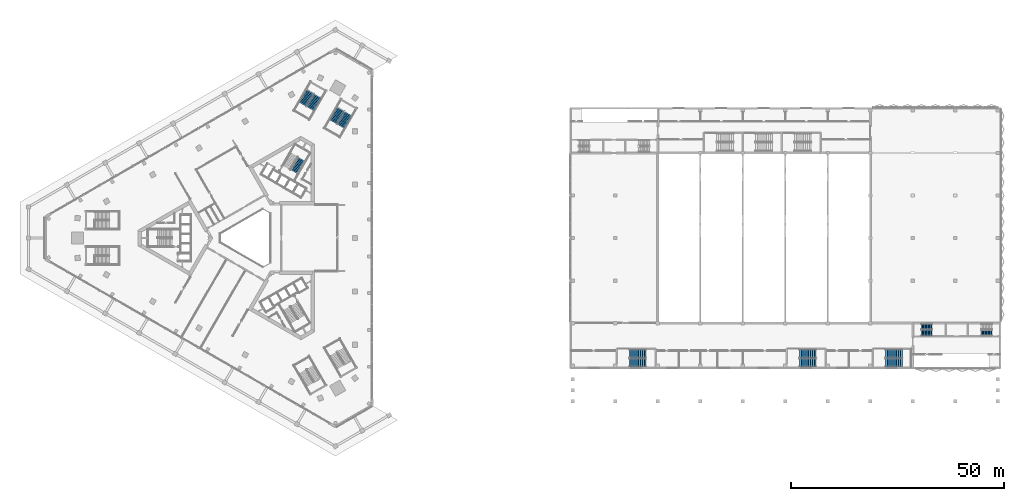
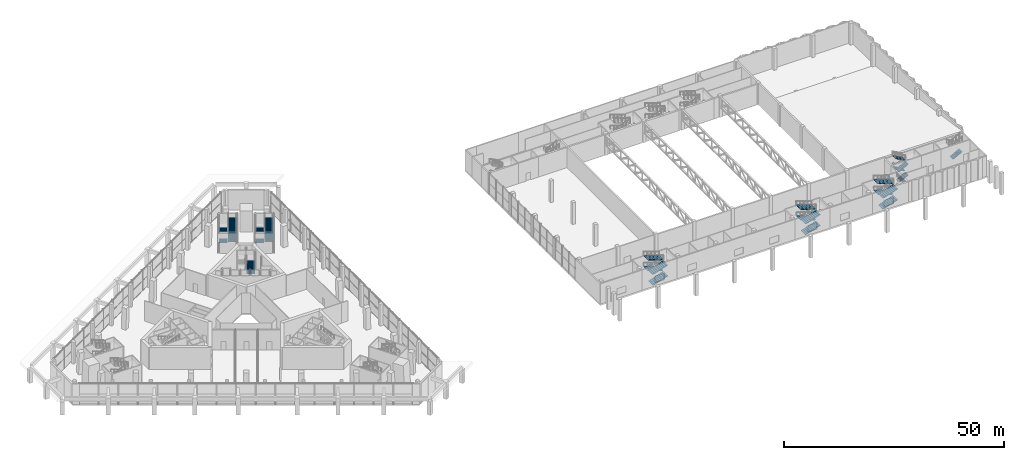
# One storey, part 37 of 51: 26 stair flights, 8 elements without a shape of their own.
"""IFC4 building model written with IfcOpenShell, lengths in metres."""

from ifc_helpers import new_model, si_unit, direction, frame, origin, place, context, subcontext, project, spatial, polyline, outline, extrude, material, type_object, element, aggregate, save


model = new_model("IFC4")

# Units and contexts
model_context = context("Model", 3, precision=1e-05, world=origin(), true_north=direction((0.0, 1.0)))
body_context = subcontext(model_context, "Body", "Model", "MODEL_VIEW")
ifc_project = project(units=[si_unit("LENGTHUNIT", "METRE"), si_unit("AREAUNIT", "SQUARE_METRE"), si_unit("VOLUMEUNIT", "CUBIC_METRE"), si_unit("PLANEANGLEUNIT", "RADIAN"), si_unit("MASSUNIT", "GRAM", prefix="KILO")], contexts=[model_context])

# Site, building, storey
site_placement = place(None, origin())
site = spatial("IfcSite", under=ifc_project, at=site_placement, CompositionType="ELEMENT")
building_placement = place(site_placement, origin())
building = spatial("IfcBuilding", under=site, at=building_placement, Name="Jabali Bay Hotel Tower and Convention Centre", CompositionType="ELEMENT")
storey_placement = place(building_placement, frame((0.0, 0.0, 9.0)))
storey = spatial("IfcBuildingStorey", under=building, at=storey_placement, Name="L01", CompositionType="ELEMENT", Elevation=9.0)

# Stair, stair flight
ifc_material = material(Name="Concrete C40", Category="concrete")
stair_type_1 = type_object("IfcStairType", Name="CC Dogleg Stair 1350", PredefinedType="HALF_TURN_STAIR", material=ifc_material)
stair_1_placement = place(storey_placement, origin())
stair_1 = element("IfcStair", 1, at=stair_1_placement, inside=storey, type_object=stair_type_1, Name="L01 East stair A", PredefinedType="HALF_TURN_STAIR")
stair_flight_type_1 = type_object("IfcStairFlightType", Name="CC Stair Flight 1350", PredefinedType="STRAIGHT", material=ifc_material)
stair_flight_1_placement = place(storey_placement, frame((246.780029296875, 57.64990234375, 1.5), z_axis=(0.0, 0.0, 1.0), x_axis=(1.0, 0.0, 0.0)))
stair_flight_1 = element("IfcStairFlight", 2, at=stair_flight_1_placement, type_object=stair_flight_type_1, Name="CC-STEA flight 2", NumberOfRisers=10, NumberOfTreads=9, PredefinedType="STRAIGHT", RiserHeight=0.15, TreadLength=0.28, context=body_context, shape_type="SweptSolid", body=[
    extrude(outline(polyline([(0.0, 0.0), (0.0, 0.14990234375), (0.280029296875, 0.14990234375), (0.280029296875, 0.300048828125), (0.56005859375, 0.300048828125), (0.56005859375, 0.449951171875), (0.840087890625, 0.449951171875), (0.840087890625, 0.60009765625), (1.1201171875, 0.60009765625), (1.1201171875, 0.75), (1.39990234375, 0.75), (1.39990234375, 0.89990234375), (1.679931640625, 0.89990234375), (1.679931640625, 1.050048828125), (1.9599609375, 1.050048828125), (1.9599609375, 1.199951171875), (2.239990234375, 1.199951171875), (2.239990234375, 1.35009765625), (2.52001953125, 1.35009765625), (2.52001953125, 1.5), (2.52001953125, 1.179931640625), (0.3173828125, 0.0), (0.0, 0.0)])), frame((0.0, 0.675048828125, 0.0), z_axis=(0.0, -1.0, 0.0), x_axis=(1.0, 0.0, 0.0)), (0.0, 0.0, 1.0), 1.35009765625),
])
aggregate(stair_1, [stair_flight_1])

# Stair, stair flights
stair_2_placement = place(storey_placement, origin())
stair_2 = element("IfcStair", 3, at=stair_2_placement, inside=storey, type_object=stair_type_1, Name="L01 East stair B", PredefinedType="HALF_TURN_STAIR")
stair_flight_2_placement = place(storey_placement, frame((232.675048828125, 57.64990234375, 0.0), z_axis=(0.0, 0.0, 1.0), x_axis=(1.0, 0.0, 0.0)))
stair_flight_2 = element("IfcStairFlight", 4, at=stair_flight_2_placement, type_object=stair_flight_type_1, Name="CC-STEB flight 1", NumberOfRisers=10, NumberOfTreads=9, PredefinedType="STRAIGHT", RiserHeight=0.15, TreadLength=0.28, context=body_context, shape_type="SweptSolid", body=[
    extrude(outline(polyline([(0.0, 0.0), (0.0, 0.14990234375), (0.280029296875, 0.14990234375), (0.280029296875, 0.300048828125), (0.56005859375, 0.300048828125), (0.56005859375, 0.449951171875), (0.840087890625, 0.449951171875), (0.840087890625, 0.60009765625), (1.1201171875, 0.60009765625), (1.1201171875, 0.75), (1.39990234375, 0.75), (1.39990234375, 0.89990234375), (1.679931640625, 0.89990234375), (1.679931640625, 1.050048828125), (1.9599609375, 1.050048828125), (1.9599609375, 1.199951171875), (2.239990234375, 1.199951171875), (2.239990234375, 1.35009765625), (2.52001953125, 1.35009765625), (2.52001953125, 1.5), (2.52001953125, 1.179931640625), (0.3173828125, 0.0), (0.0, 0.0)])), frame((0.0, 0.675048828125, 0.0), z_axis=(0.0, -1.0, 0.0), x_axis=(1.0, 0.0, 0.0)), (0.0, 0.0, 1.0), 1.35009765625),
])
stair_flight_3_placement = place(storey_placement, frame((235.195068359375, 59.14990234375, 1.5), z_axis=(0.0, 0.0, 1.0), x_axis=(-1.0, 0.0, 0.0)))
stair_flight_3 = element("IfcStairFlight", 5, at=stair_flight_3_placement, type_object=stair_flight_type_1, Name="CC-STEB flight 2", NumberOfRisers=10, NumberOfTreads=9, PredefinedType="STRAIGHT", RiserHeight=0.15, TreadLength=0.28, context=body_context, shape_type="SweptSolid", body=[
    extrude(outline(polyline([(0.0, 0.0), (0.0, 0.14990234375), (0.280029296875, 0.14990234375), (0.280029296875, 0.300048828125), (0.56005859375, 0.300048828125), (0.56005859375, 0.449951171875), (0.840087890625, 0.449951171875), (0.840087890625, 0.60009765625), (1.1201171875, 0.60009765625), (1.1201171875, 0.75), (1.39990234375, 0.75), (1.39990234375, 0.89990234375), (1.679931640625, 0.89990234375), (1.679931640625, 1.050048828125), (1.9599609375, 1.050048828125), (1.9599609375, 1.199951171875), (2.239990234375, 1.199951171875), (2.239990234375, 1.35009765625), (2.52001953125, 1.35009765625), (2.52001953125, 1.5), (2.52001953125, 1.179931640625), (0.3173828125, 0.0), (0.0, 0.0)])), frame((0.0, 0.675048828125, 0.0), z_axis=(0.0, -1.0, 0.0), x_axis=(1.0, 0.0, 0.0)), (0.0, 0.0, 1.0), 1.35009765625),
])
stair_flight_4_placement = place(storey_placement, frame((232.675048828125, 57.64990234375, 3.0), z_axis=(0.0, 0.0, 1.0), x_axis=(1.0, 0.0, 0.0)))
stair_flight_4 = element("IfcStairFlight", 6, at=stair_flight_4_placement, type_object=stair_flight_type_1, Name="CC-STEB flight 3", NumberOfRisers=10, NumberOfTreads=9, PredefinedType="STRAIGHT", RiserHeight=0.15, TreadLength=0.28, context=body_context, shape_type="SweptSolid", body=[
    extrude(outline(polyline([(0.0, 0.0), (0.0, 0.14990234375), (0.280029296875, 0.14990234375), (0.280029296875, 0.300048828125), (0.56005859375, 0.300048828125), (0.56005859375, 0.449951171875), (0.840087890625, 0.449951171875), (0.840087890625, 0.60009765625), (1.1201171875, 0.60009765625), (1.1201171875, 0.75), (1.39990234375, 0.75), (1.39990234375, 0.89990234375), (1.679931640625, 0.89990234375), (1.679931640625, 1.050048828125), (1.9599609375, 1.050048828125), (1.9599609375, 1.199951171875), (2.239990234375, 1.199951171875), (2.239990234375, 1.35009765625), (2.52001953125, 1.35009765625), (2.52001953125, 1.5), (2.52001953125, 1.179931640625), (0.3173828125, 0.0), (0.0, 0.0)])), frame((0.0, 0.675048828125, 0.0), z_axis=(0.0, -1.0, 0.0), x_axis=(1.0, 0.0, 0.0)), (0.0, 0.0, 1.0), 1.35009765625),
])
stair_flight_5_placement = place(storey_placement, frame((235.195068359375, 59.14990234375, 4.5), z_axis=(0.0, 0.0, 1.0), x_axis=(-1.0, 0.0, 0.0)))
stair_flight_5 = element("IfcStairFlight", 7, at=stair_flight_5_placement, type_object=stair_flight_type_1, Name="CC-STEB flight 4", NumberOfRisers=10, NumberOfTreads=9, PredefinedType="STRAIGHT", RiserHeight=0.15, TreadLength=0.28, context=body_context, shape_type="SweptSolid", body=[
    extrude(outline(polyline([(0.0, 0.0), (0.0, 0.14990234375), (0.280029296875, 0.14990234375), (0.280029296875, 0.300048828125), (0.56005859375, 0.300048828125), (0.56005859375, 0.449951171875), (0.840087890625, 0.449951171875), (0.840087890625, 0.60009765625), (1.1201171875, 0.60009765625), (1.1201171875, 0.75), (1.39990234375, 0.75), (1.39990234375, 0.89990234375), (1.679931640625, 0.89990234375), (1.679931640625, 1.050048828125), (1.9599609375, 1.050048828125), (1.9599609375, 1.199951171875), (2.239990234375, 1.199951171875), (2.239990234375, 1.35009765625), (2.52001953125, 1.35009765625), (2.52001953125, 1.5), (2.52001953125, 1.179931640625), (0.3173828125, 0.0), (0.0, 0.0)])), frame((0.0, 0.675048828125, 0.0), z_axis=(0.0, -1.0, 0.0), x_axis=(1.0, 0.0, 0.0)), (0.0, 0.0, 1.0), 1.35009765625),
])
aggregate(stair_2, [stair_flight_2, stair_flight_3, stair_flight_4, stair_flight_5])

stair_3_placement = place(storey_placement, origin())
stair_3 = element("IfcStair", 8, at=stair_3_placement, inside=storey, type_object=stair_type_1, Name="L01 South Exit Stair 1", PredefinedType="HALF_TURN_STAIR")
stair_flight_6_placement = place(storey_placement, frame((164.0, 50.699951171875, 0.0), z_axis=(0.0, 0.0, 1.0), x_axis=(1.0, 0.0, 0.0)))
stair_flight_6 = element("IfcStairFlight", 9, at=stair_flight_6_placement, type_object=stair_flight_type_1, Name="CC-STS1 flight 1", NumberOfRisers=10, NumberOfTreads=9, PredefinedType="STRAIGHT", RiserHeight=0.15, TreadLength=0.44, context=body_context, shape_type="SweptSolid", body=[
    extrude(outline(polyline([(0.0, 0.0), (0.0, 0.14990234375), (0.43994140625, 0.14990234375), (0.43994140625, 0.300048828125), (0.8798828125, 0.300048828125), (0.8798828125, 0.449951171875), (1.320068359375, 0.449951171875), (1.320068359375, 0.60009765625), (1.760009765625, 0.60009765625), (1.760009765625, 0.75), (2.199951171875, 0.75), (2.199951171875, 0.89990234375), (2.639892578125, 0.89990234375), (2.639892578125, 1.050048828125), (3.080078125, 1.050048828125), (3.080078125, 1.199951171875), (3.52001953125, 1.199951171875), (3.52001953125, 1.35009765625), (3.9599609375, 1.35009765625), (3.9599609375, 1.5), (3.9599609375, 1.191650390625), (0.464599609375, 0.0), (0.0, 0.0)])), frame((0.0, 1.0, 0.0), z_axis=(0.0, -1.0, 0.0), x_axis=(1.0, 0.0, 0.0)), (0.0, 0.0, 1.0), 2.0),
])
stair_flight_7_placement = place(storey_placement, frame((167.9599609375, 52.800048828125, 1.5), z_axis=(0.0, 0.0, 1.0), x_axis=(-1.0, 0.0, 0.0)))
stair_flight_7 = element("IfcStairFlight", 10, at=stair_flight_7_placement, type_object=stair_flight_type_1, Name="CC-STS1 flight 2", NumberOfRisers=10, NumberOfTreads=9, PredefinedType="STRAIGHT", RiserHeight=0.15, TreadLength=0.44, context=body_context, shape_type="SweptSolid", body=[
    extrude(outline(polyline([(0.0, 0.0), (0.0, 0.14990234375), (0.43994140625, 0.14990234375), (0.43994140625, 0.300048828125), (0.8798828125, 0.300048828125), (0.8798828125, 0.449951171875), (1.320068359375, 0.449951171875), (1.320068359375, 0.60009765625), (1.760009765625, 0.60009765625), (1.760009765625, 0.75), (2.199951171875, 0.75), (2.199951171875, 0.89990234375), (2.639892578125, 0.89990234375), (2.639892578125, 1.050048828125), (3.080078125, 1.050048828125), (3.080078125, 1.199951171875), (3.52001953125, 1.199951171875), (3.52001953125, 1.35009765625), (3.9599609375, 1.35009765625), (3.9599609375, 1.5), (3.9599609375, 1.191650390625), (0.464599609375, 0.0), (0.0, 0.0)])), frame((0.0, 1.0, 0.0), z_axis=(0.0, -1.0, 0.0), x_axis=(1.0, 0.0, 0.0)), (0.0, 0.0, 1.0), 2.0),
])
stair_flight_8_placement = place(storey_placement, frame((164.0, 50.699951171875, 3.0), z_axis=(0.0, 0.0, 1.0), x_axis=(1.0, 0.0, 0.0)))
stair_flight_8 = element("IfcStairFlight", 11, at=stair_flight_8_placement, type_object=stair_flight_type_1, Name="CC-STS1 flight 3", NumberOfRisers=10, NumberOfTreads=9, PredefinedType="STRAIGHT", RiserHeight=0.15, TreadLength=0.44, context=body_context, shape_type="SweptSolid", body=[
    extrude(outline(polyline([(0.0, 0.0), (0.0, 0.14990234375), (0.43994140625, 0.14990234375), (0.43994140625, 0.300048828125), (0.8798828125, 0.300048828125), (0.8798828125, 0.449951171875), (1.320068359375, 0.449951171875), (1.320068359375, 0.60009765625), (1.760009765625, 0.60009765625), (1.760009765625, 0.75), (2.199951171875, 0.75), (2.199951171875, 0.89990234375), (2.639892578125, 0.89990234375), (2.639892578125, 1.050048828125), (3.080078125, 1.050048828125), (3.080078125, 1.199951171875), (3.52001953125, 1.199951171875), (3.52001953125, 1.35009765625), (3.9599609375, 1.35009765625), (3.9599609375, 1.5), (3.9599609375, 1.191650390625), (0.464599609375, 0.0), (0.0, 0.0)])), frame((0.0, 1.0, 0.0), z_axis=(0.0, -1.0, 0.0), x_axis=(1.0, 0.0, 0.0)), (0.0, 0.0, 1.0), 2.0),
])
stair_flight_9_placement = place(storey_placement, frame((167.9599609375, 52.800048828125, 4.5), z_axis=(0.0, 0.0, 1.0), x_axis=(-1.0, 0.0, 0.0)))
stair_flight_9 = element("IfcStairFlight", 12, at=stair_flight_9_placement, type_object=stair_flight_type_1, Name="CC-STS1 flight 4", NumberOfRisers=10, NumberOfTreads=9, PredefinedType="STRAIGHT", RiserHeight=0.15, TreadLength=0.44, context=body_context, shape_type="SweptSolid", body=[
    extrude(outline(polyline([(0.0, 0.0), (0.0, 0.14990234375), (0.43994140625, 0.14990234375), (0.43994140625, 0.300048828125), (0.8798828125, 0.300048828125), (0.8798828125, 0.449951171875), (1.320068359375, 0.449951171875), (1.320068359375, 0.60009765625), (1.760009765625, 0.60009765625), (1.760009765625, 0.75), (2.199951171875, 0.75), (2.199951171875, 0.89990234375), (2.639892578125, 0.89990234375), (2.639892578125, 1.050048828125), (3.080078125, 1.050048828125), (3.080078125, 1.199951171875), (3.52001953125, 1.199951171875), (3.52001953125, 1.35009765625), (3.9599609375, 1.35009765625), (3.9599609375, 1.5), (3.9599609375, 1.191650390625), (0.464599609375, 0.0), (0.0, 0.0)])), frame((0.0, 1.0, 0.0), z_axis=(0.0, -1.0, 0.0), x_axis=(1.0, 0.0, 0.0)), (0.0, 0.0, 1.0), 2.0),
])
aggregate(stair_3, [stair_flight_6, stair_flight_7, stair_flight_8, stair_flight_9])

stair_4_placement = place(storey_placement, origin())
stair_4 = element("IfcStair", 13, at=stair_4_placement, inside=storey, type_object=stair_type_1, Name="L01 South Exit Stair 2", PredefinedType="HALF_TURN_STAIR")
stair_flight_10_placement = place(storey_placement, frame((204.0, 50.699951171875, 0.0), z_axis=(0.0, 0.0, 1.0), x_axis=(1.0, 0.0, 0.0)))
stair_flight_10 = element("IfcStairFlight", 14, at=stair_flight_10_placement, type_object=stair_flight_type_1, Name="CC-STS2 flight 1", NumberOfRisers=10, NumberOfTreads=9, PredefinedType="STRAIGHT", RiserHeight=0.15, TreadLength=0.44, context=body_context, shape_type="SweptSolid", body=[
    extrude(outline(polyline([(0.0, 0.0), (0.0, 0.14990234375), (0.43994140625, 0.14990234375), (0.43994140625, 0.300048828125), (0.8798828125, 0.300048828125), (0.8798828125, 0.449951171875), (1.320068359375, 0.449951171875), (1.320068359375, 0.60009765625), (1.760009765625, 0.60009765625), (1.760009765625, 0.75), (2.199951171875, 0.75), (2.199951171875, 0.89990234375), (2.639892578125, 0.89990234375), (2.639892578125, 1.050048828125), (3.080078125, 1.050048828125), (3.080078125, 1.199951171875), (3.52001953125, 1.199951171875), (3.52001953125, 1.35009765625), (3.9599609375, 1.35009765625), (3.9599609375, 1.5), (3.9599609375, 1.191650390625), (0.464599609375, 0.0), (0.0, 0.0)])), frame((0.0, 1.0, 0.0), z_axis=(0.0, -1.0, 0.0), x_axis=(1.0, 0.0, 0.0)), (0.0, 0.0, 1.0), 2.0),
])
stair_flight_11_placement = place(storey_placement, frame((207.9599609375, 52.800048828125, 1.5), z_axis=(0.0, 0.0, 1.0), x_axis=(-1.0, 0.0, 0.0)))
stair_flight_11 = element("IfcStairFlight", 15, at=stair_flight_11_placement, type_object=stair_flight_type_1, Name="CC-STS2 flight 2", NumberOfRisers=10, NumberOfTreads=9, PredefinedType="STRAIGHT", RiserHeight=0.15, TreadLength=0.44, context=body_context, shape_type="SweptSolid", body=[
    extrude(outline(polyline([(0.0, 0.0), (0.0, 0.14990234375), (0.43994140625, 0.14990234375), (0.43994140625, 0.300048828125), (0.8798828125, 0.300048828125), (0.8798828125, 0.449951171875), (1.320068359375, 0.449951171875), (1.320068359375, 0.60009765625), (1.760009765625, 0.60009765625), (1.760009765625, 0.75), (2.199951171875, 0.75), (2.199951171875, 0.89990234375), (2.639892578125, 0.89990234375), (2.639892578125, 1.050048828125), (3.080078125, 1.050048828125), (3.080078125, 1.199951171875), (3.52001953125, 1.199951171875), (3.52001953125, 1.35009765625), (3.9599609375, 1.35009765625), (3.9599609375, 1.5), (3.9599609375, 1.191650390625), (0.464599609375, 0.0), (0.0, 0.0)])), frame((0.0, 1.0, 0.0), z_axis=(0.0, -1.0, 0.0), x_axis=(1.0, 0.0, 0.0)), (0.0, 0.0, 1.0), 2.0),
])
stair_flight_12_placement = place(storey_placement, frame((204.0, 50.699951171875, 3.0), z_axis=(0.0, 0.0, 1.0), x_axis=(1.0, 0.0, 0.0)))
stair_flight_12 = element("IfcStairFlight", 16, at=stair_flight_12_placement, type_object=stair_flight_type_1, Name="CC-STS2 flight 3", NumberOfRisers=10, NumberOfTreads=9, PredefinedType="STRAIGHT", RiserHeight=0.15, TreadLength=0.44, context=body_context, shape_type="SweptSolid", body=[
    extrude(outline(polyline([(0.0, 0.0), (0.0, 0.14990234375), (0.43994140625, 0.14990234375), (0.43994140625, 0.300048828125), (0.8798828125, 0.300048828125), (0.8798828125, 0.449951171875), (1.320068359375, 0.449951171875), (1.320068359375, 0.60009765625), (1.760009765625, 0.60009765625), (1.760009765625, 0.75), (2.199951171875, 0.75), (2.199951171875, 0.89990234375), (2.639892578125, 0.89990234375), (2.639892578125, 1.050048828125), (3.080078125, 1.050048828125), (3.080078125, 1.199951171875), (3.52001953125, 1.199951171875), (3.52001953125, 1.35009765625), (3.9599609375, 1.35009765625), (3.9599609375, 1.5), (3.9599609375, 1.191650390625), (0.464599609375, 0.0), (0.0, 0.0)])), frame((0.0, 1.0, 0.0), z_axis=(0.0, -1.0, 0.0), x_axis=(1.0, 0.0, 0.0)), (0.0, 0.0, 1.0), 2.0),
])
stair_flight_13_placement = place(storey_placement, frame((207.9599609375, 52.800048828125, 4.5), z_axis=(0.0, 0.0, 1.0), x_axis=(-1.0, 0.0, 0.0)))
stair_flight_13 = element("IfcStairFlight", 17, at=stair_flight_13_placement, type_object=stair_flight_type_1, Name="CC-STS2 flight 4", NumberOfRisers=10, NumberOfTreads=9, PredefinedType="STRAIGHT", RiserHeight=0.15, TreadLength=0.44, context=body_context, shape_type="SweptSolid", body=[
    extrude(outline(polyline([(0.0, 0.0), (0.0, 0.14990234375), (0.43994140625, 0.14990234375), (0.43994140625, 0.300048828125), (0.8798828125, 0.300048828125), (0.8798828125, 0.449951171875), (1.320068359375, 0.449951171875), (1.320068359375, 0.60009765625), (1.760009765625, 0.60009765625), (1.760009765625, 0.75), (2.199951171875, 0.75), (2.199951171875, 0.89990234375), (2.639892578125, 0.89990234375), (2.639892578125, 1.050048828125), (3.080078125, 1.050048828125), (3.080078125, 1.199951171875), (3.52001953125, 1.199951171875), (3.52001953125, 1.35009765625), (3.9599609375, 1.35009765625), (3.9599609375, 1.5), (3.9599609375, 1.191650390625), (0.464599609375, 0.0), (0.0, 0.0)])), frame((0.0, 1.0, 0.0), z_axis=(0.0, -1.0, 0.0), x_axis=(1.0, 0.0, 0.0)), (0.0, 0.0, 1.0), 2.0),
])
aggregate(stair_4, [stair_flight_10, stair_flight_11, stair_flight_12, stair_flight_13])

stair_5_placement = place(storey_placement, origin())
stair_5 = element("IfcStair", 18, at=stair_5_placement, inside=storey, type_object=stair_type_1, Name="L01 South Exit Stair 3", PredefinedType="HALF_TURN_STAIR")
stair_flight_14_placement = place(storey_placement, frame((224.25, 50.699951171875, 0.0), z_axis=(0.0, 0.0, 1.0), x_axis=(1.0, 0.0, 0.0)))
stair_flight_14 = element("IfcStairFlight", 19, at=stair_flight_14_placement, type_object=stair_flight_type_1, Name="CC-STS3 flight 1", NumberOfRisers=10, NumberOfTreads=9, PredefinedType="STRAIGHT", RiserHeight=0.15, TreadLength=0.44, context=body_context, shape_type="SweptSolid", body=[
    extrude(outline(polyline([(0.0, 0.0), (0.0, 0.14990234375), (0.43994140625, 0.14990234375), (0.43994140625, 0.300048828125), (0.8798828125, 0.300048828125), (0.8798828125, 0.449951171875), (1.320068359375, 0.449951171875), (1.320068359375, 0.60009765625), (1.760009765625, 0.60009765625), (1.760009765625, 0.75), (2.199951171875, 0.75), (2.199951171875, 0.89990234375), (2.639892578125, 0.89990234375), (2.639892578125, 1.050048828125), (3.080078125, 1.050048828125), (3.080078125, 1.199951171875), (3.52001953125, 1.199951171875), (3.52001953125, 1.35009765625), (3.9599609375, 1.35009765625), (3.9599609375, 1.5), (3.9599609375, 1.191650390625), (0.464599609375, 0.0), (0.0, 0.0)])), frame((0.0, 1.0, 0.0), z_axis=(0.0, -1.0, 0.0), x_axis=(1.0, 0.0, 0.0)), (0.0, 0.0, 1.0), 2.0),
])
stair_flight_15_placement = place(storey_placement, frame((228.2099609375, 52.800048828125, 1.5), z_axis=(0.0, 0.0, 1.0), x_axis=(-1.0, 0.0, 0.0)))
stair_flight_15 = element("IfcStairFlight", 20, at=stair_flight_15_placement, type_object=stair_flight_type_1, Name="CC-STS3 flight 2", NumberOfRisers=10, NumberOfTreads=9, PredefinedType="STRAIGHT", RiserHeight=0.15, TreadLength=0.44, context=body_context, shape_type="SweptSolid", body=[
    extrude(outline(polyline([(0.0, 0.0), (0.0, 0.14990234375), (0.43994140625, 0.14990234375), (0.43994140625, 0.300048828125), (0.8798828125, 0.300048828125), (0.8798828125, 0.449951171875), (1.320068359375, 0.449951171875), (1.320068359375, 0.60009765625), (1.760009765625, 0.60009765625), (1.760009765625, 0.75), (2.199951171875, 0.75), (2.199951171875, 0.89990234375), (2.639892578125, 0.89990234375), (2.639892578125, 1.050048828125), (3.080078125, 1.050048828125), (3.080078125, 1.199951171875), (3.52001953125, 1.199951171875), (3.52001953125, 1.35009765625), (3.9599609375, 1.35009765625), (3.9599609375, 1.5), (3.9599609375, 1.191650390625), (0.464599609375, 0.0), (0.0, 0.0)])), frame((0.0, 1.0, 0.0), z_axis=(0.0, -1.0, 0.0), x_axis=(1.0, 0.0, 0.0)), (0.0, 0.0, 1.0), 2.0),
])
stair_flight_16_placement = place(storey_placement, frame((224.25, 50.699951171875, 3.0), z_axis=(0.0, 0.0, 1.0), x_axis=(1.0, 0.0, 0.0)))
stair_flight_16 = element("IfcStairFlight", 21, at=stair_flight_16_placement, type_object=stair_flight_type_1, Name="CC-STS3 flight 3", NumberOfRisers=10, NumberOfTreads=9, PredefinedType="STRAIGHT", RiserHeight=0.15, TreadLength=0.44, context=body_context, shape_type="SweptSolid", body=[
    extrude(outline(polyline([(0.0, 0.0), (0.0, 0.14990234375), (0.43994140625, 0.14990234375), (0.43994140625, 0.300048828125), (0.8798828125, 0.300048828125), (0.8798828125, 0.449951171875), (1.320068359375, 0.449951171875), (1.320068359375, 0.60009765625), (1.760009765625, 0.60009765625), (1.760009765625, 0.75), (2.199951171875, 0.75), (2.199951171875, 0.89990234375), (2.639892578125, 0.89990234375), (2.639892578125, 1.050048828125), (3.080078125, 1.050048828125), (3.080078125, 1.199951171875), (3.52001953125, 1.199951171875), (3.52001953125, 1.35009765625), (3.9599609375, 1.35009765625), (3.9599609375, 1.5), (3.9599609375, 1.191650390625), (0.464599609375, 0.0), (0.0, 0.0)])), frame((0.0, 1.0, 0.0), z_axis=(0.0, -1.0, 0.0), x_axis=(1.0, 0.0, 0.0)), (0.0, 0.0, 1.0), 2.0),
])
stair_flight_17_placement = place(storey_placement, frame((228.2099609375, 52.800048828125, 4.5), z_axis=(0.0, 0.0, 1.0), x_axis=(-1.0, 0.0, 0.0)))
stair_flight_17 = element("IfcStairFlight", 22, at=stair_flight_17_placement, type_object=stair_flight_type_1, Name="CC-STS3 flight 4", NumberOfRisers=10, NumberOfTreads=9, PredefinedType="STRAIGHT", RiserHeight=0.15, TreadLength=0.44, context=body_context, shape_type="SweptSolid", body=[
    extrude(outline(polyline([(0.0, 0.0), (0.0, 0.14990234375), (0.43994140625, 0.14990234375), (0.43994140625, 0.300048828125), (0.8798828125, 0.300048828125), (0.8798828125, 0.449951171875), (1.320068359375, 0.449951171875), (1.320068359375, 0.60009765625), (1.760009765625, 0.60009765625), (1.760009765625, 0.75), (2.199951171875, 0.75), (2.199951171875, 0.89990234375), (2.639892578125, 0.89990234375), (2.639892578125, 1.050048828125), (3.080078125, 1.050048828125), (3.080078125, 1.199951171875), (3.52001953125, 1.199951171875), (3.52001953125, 1.35009765625), (3.9599609375, 1.35009765625), (3.9599609375, 1.5), (3.9599609375, 1.191650390625), (0.464599609375, 0.0), (0.0, 0.0)])), frame((0.0, 1.0, 0.0), z_axis=(0.0, -1.0, 0.0), x_axis=(1.0, 0.0, 0.0)), (0.0, 0.0, 1.0), 2.0),
])
aggregate(stair_5, [stair_flight_14, stair_flight_15, stair_flight_16, stair_flight_17])

# Stair, stair flight
stair_type_2 = type_object("IfcStairType", Name="Exit stair 1900", PredefinedType="HALF_TURN_STAIR", material=ifc_material)
stair_6_placement = place(storey_placement, origin())
stair_6 = element("IfcStair", 23, at=stair_6_placement, inside=storey, type_object=stair_type_2, Name="L01 Exit Stair 2", PredefinedType="HALF_TURN_STAIR")
stair_flight_type_2 = type_object("IfcStairFlightType", Name="Stair flight concrete 150", PredefinedType="STRAIGHT", material=ifc_material)
stair_flight_18_placement = place(storey_placement, frame((85.177734375, 95.578369140625, 3.0), z_axis=(0.0, 0.0, 1.0), x_axis=(0.5, 0.866025403784, 0.0)))
stair_flight_18 = element("IfcStairFlight", 24, at=stair_flight_18_placement, type_object=stair_flight_type_2, Name="ST2 flight 3", NumberOfRisers=12, NumberOfTreads=11, PredefinedType="STRAIGHT", RiserHeight=0.125, TreadLength=0.31, context=body_context, shape_type="SweptSolid", body=[
    extrude(outline(polyline([(0.0, 0.0), (0.0, 0.125), (0.31005859375, 0.125), (0.31005859375, 0.25), (0.6201171875, 0.25), (0.6201171875, 0.375), (0.929931640625, 0.375), (0.929931640625, 0.5), (1.239990234375, 0.5), (1.239990234375, 0.625), (1.550048828125, 0.625), (1.550048828125, 0.75), (1.860107421875, 0.75), (1.860107421875, 0.875), (2.169921875, 0.875), (2.169921875, 1.0), (2.47998046875, 1.0), (2.47998046875, 1.125), (2.7900390625, 1.125), (2.7900390625, 1.25), (3.10009765625, 1.25), (3.10009765625, 1.375), (3.409912109375, 1.375), (3.409912109375, 1.5), (3.409912109375, 1.21337890625), (0.40087890625, 0.0), (0.0, 0.0)])), frame((0.0, 0.949951171875, 0.0), z_axis=(0.0, -1.0, 0.0), x_axis=(1.0, 0.0, 0.0)), (0.0, 0.0, 1.0), 1.89990234375),
])
aggregate(stair_6, [stair_flight_18])

# Stair, stair flights
stair_type_3 = type_object("IfcStairType", Name="Podium stair 1950", PredefinedType="HALF_TURN_STAIR", material=ifc_material)
stair_7_placement = place(storey_placement, origin())
stair_7 = element("IfcStair", 25, at=stair_7_placement, inside=storey, type_object=stair_type_3, Name="L01 Podium Exit Stair 3", PredefinedType="HALF_TURN_STAIR")
stair_flight_19_placement = place(storey_placement, frame((88.893310546875, 114.413818359375, 0.0), z_axis=(0.0, 0.0, 1.0), x_axis=(-0.5, -0.866025403784, 0.0)))
stair_flight_19 = element("IfcStairFlight", 26, at=stair_flight_19_placement, type_object=stair_flight_type_2, Name="PS3 flight 1", NumberOfRisers=12, NumberOfTreads=11, PredefinedType="STRAIGHT", RiserHeight=0.125, TreadLength=0.31, context=body_context, shape_type="SweptSolid", body=[
    extrude(outline(polyline([(0.0, 0.0), (0.0, 0.125), (0.31005859375, 0.125), (0.31005859375, 0.25), (0.6201171875, 0.25), (0.6201171875, 0.375), (0.929931640625, 0.375), (0.929931640625, 0.5), (1.239990234375, 0.5), (1.239990234375, 0.625), (1.550048828125, 0.625), (1.550048828125, 0.75), (1.860107421875, 0.75), (1.860107421875, 0.875), (2.169921875, 0.875), (2.169921875, 1.0), (2.47998046875, 1.0), (2.47998046875, 1.125), (2.7900390625, 1.125), (2.7900390625, 1.25), (3.10009765625, 1.25), (3.10009765625, 1.375), (3.409912109375, 1.375), (3.409912109375, 1.5), (3.409912109375, 1.21337890625), (0.40087890625, 0.0), (0.0, 0.0)])), frame((0.0, 0.97509765625, 0.0), z_axis=(0.0, -1.0, 0.0), x_axis=(1.0, 0.0, 0.0)), (0.0, 0.0, 1.0), 1.949951171875),
])
stair_flight_20_placement = place(storey_placement, frame((88.963623046875, 110.435791015625, 1.5), z_axis=(0.0, 0.0, 1.0), x_axis=(0.5, 0.866025403784, 0.0)))
stair_flight_20 = element("IfcStairFlight", 27, at=stair_flight_20_placement, type_object=stair_flight_type_2, Name="PS3 flight 2", NumberOfRisers=12, NumberOfTreads=11, PredefinedType="STRAIGHT", RiserHeight=0.125, TreadLength=0.31, context=body_context, shape_type="SweptSolid", body=[
    extrude(outline(polyline([(0.0, 0.0), (0.0, 0.125), (0.31005859375, 0.125), (0.31005859375, 0.25), (0.6201171875, 0.25), (0.6201171875, 0.375), (0.929931640625, 0.375), (0.929931640625, 0.5), (1.239990234375, 0.5), (1.239990234375, 0.625), (1.550048828125, 0.625), (1.550048828125, 0.75), (1.860107421875, 0.75), (1.860107421875, 0.875), (2.169921875, 0.875), (2.169921875, 1.0), (2.47998046875, 1.0), (2.47998046875, 1.125), (2.7900390625, 1.125), (2.7900390625, 1.25), (3.10009765625, 1.25), (3.10009765625, 1.375), (3.409912109375, 1.375), (3.409912109375, 1.5), (3.409912109375, 1.21337890625), (0.40087890625, 0.0), (0.0, 0.0)])), frame((0.0, 0.97509765625, 0.0), z_axis=(0.0, -1.0, 0.0), x_axis=(1.0, 0.0, 0.0)), (0.0, 0.0, 1.0), 1.949951171875),
])
stair_flight_21_placement = place(storey_placement, frame((88.893310546875, 114.413818359375, 3.0), z_axis=(0.0, 0.0, 1.0), x_axis=(-0.5, -0.866025403784, 0.0)))
stair_flight_21 = element("IfcStairFlight", 28, at=stair_flight_21_placement, type_object=stair_flight_type_2, Name="PS3 flight 3", NumberOfRisers=12, NumberOfTreads=11, PredefinedType="STRAIGHT", RiserHeight=0.125, TreadLength=0.31, context=body_context, shape_type="SweptSolid", body=[
    extrude(outline(polyline([(0.0, 0.0), (0.0, 0.125), (0.31005859375, 0.125), (0.31005859375, 0.25), (0.6201171875, 0.25), (0.6201171875, 0.375), (0.929931640625, 0.375), (0.929931640625, 0.5), (1.239990234375, 0.5), (1.239990234375, 0.625), (1.550048828125, 0.625), (1.550048828125, 0.75), (1.860107421875, 0.75), (1.860107421875, 0.875), (2.169921875, 0.875), (2.169921875, 1.0), (2.47998046875, 1.0), (2.47998046875, 1.125), (2.7900390625, 1.125), (2.7900390625, 1.25), (3.10009765625, 1.25), (3.10009765625, 1.375), (3.409912109375, 1.375), (3.409912109375, 1.5), (3.409912109375, 1.21337890625), (0.40087890625, 0.0), (0.0, 0.0)])), frame((0.0, 0.97509765625, 0.0), z_axis=(0.0, -1.0, 0.0), x_axis=(1.0, 0.0, 0.0)), (0.0, 0.0, 1.0), 1.949951171875),
])
stair_flight_22_placement = place(storey_placement, frame((88.963623046875, 110.435791015625, 4.5), z_axis=(0.0, 0.0, 1.0), x_axis=(0.5, 0.866025403784, 0.0)))
stair_flight_22 = element("IfcStairFlight", 29, at=stair_flight_22_placement, type_object=stair_flight_type_2, Name="PS3 flight 4", NumberOfRisers=12, NumberOfTreads=11, PredefinedType="STRAIGHT", RiserHeight=0.125, TreadLength=0.31, context=body_context, shape_type="SweptSolid", body=[
    extrude(outline(polyline([(0.0, 0.0), (0.0, 0.125), (0.31005859375, 0.125), (0.31005859375, 0.25), (0.6201171875, 0.25), (0.6201171875, 0.375), (0.929931640625, 0.375), (0.929931640625, 0.5), (1.239990234375, 0.5), (1.239990234375, 0.625), (1.550048828125, 0.625), (1.550048828125, 0.75), (1.860107421875, 0.75), (1.860107421875, 0.875), (2.169921875, 0.875), (2.169921875, 1.0), (2.47998046875, 1.0), (2.47998046875, 1.125), (2.7900390625, 1.125), (2.7900390625, 1.25), (3.10009765625, 1.25), (3.10009765625, 1.375), (3.409912109375, 1.375), (3.409912109375, 1.5), (3.409912109375, 1.21337890625), (0.40087890625, 0.0), (0.0, 0.0)])), frame((0.0, 0.97509765625, 0.0), z_axis=(0.0, -1.0, 0.0), x_axis=(1.0, 0.0, 0.0)), (0.0, 0.0, 1.0), 1.949951171875),
])
aggregate(stair_7, [stair_flight_19, stair_flight_20, stair_flight_21, stair_flight_22])

stair_8_placement = place(storey_placement, origin())
stair_8 = element("IfcStair", 30, at=stair_8_placement, inside=storey, type_object=stair_type_3, Name="L01 Podium Exit Stair 4", PredefinedType="HALF_TURN_STAIR")
stair_flight_23_placement = place(storey_placement, frame((96.081298828125, 110.263916015625, 0.0), z_axis=(0.0, 0.0, 1.0), x_axis=(-0.5, -0.866025403784, 0.0)))
stair_flight_23 = element("IfcStairFlight", 31, at=stair_flight_23_placement, type_object=stair_flight_type_2, Name="PS4 flight 1", NumberOfRisers=12, NumberOfTreads=11, PredefinedType="STRAIGHT", RiserHeight=0.125, TreadLength=0.31, context=body_context, shape_type="SweptSolid", body=[
    extrude(outline(polyline([(0.0, 0.0), (0.0, 0.125), (0.31005859375, 0.125), (0.31005859375, 0.25), (0.6201171875, 0.25), (0.6201171875, 0.375), (0.929931640625, 0.375), (0.929931640625, 0.5), (1.239990234375, 0.5), (1.239990234375, 0.625), (1.550048828125, 0.625), (1.550048828125, 0.75), (1.860107421875, 0.75), (1.860107421875, 0.875), (2.169921875, 0.875), (2.169921875, 1.0), (2.47998046875, 1.0), (2.47998046875, 1.125), (2.7900390625, 1.125), (2.7900390625, 1.25), (3.10009765625, 1.25), (3.10009765625, 1.375), (3.409912109375, 1.375), (3.409912109375, 1.5), (3.409912109375, 1.21337890625), (0.40087890625, 0.0), (0.0, 0.0)])), frame((0.0, 0.97509765625, 0.0), z_axis=(0.0, -1.0, 0.0), x_axis=(1.0, 0.0, 0.0)), (0.0, 0.0, 1.0), 1.949951171875),
])
stair_flight_24_placement = place(storey_placement, frame((96.151611328125, 106.285888671875, 1.5), z_axis=(0.0, 0.0, 1.0), x_axis=(0.5, 0.866025403784, 0.0)))
stair_flight_24 = element("IfcStairFlight", 32, at=stair_flight_24_placement, type_object=stair_flight_type_2, Name="PS4 flight 2", NumberOfRisers=12, NumberOfTreads=11, PredefinedType="STRAIGHT", RiserHeight=0.125, TreadLength=0.31, context=body_context, shape_type="SweptSolid", body=[
    extrude(outline(polyline([(0.0, 0.0), (0.0, 0.125), (0.31005859375, 0.125), (0.31005859375, 0.25), (0.6201171875, 0.25), (0.6201171875, 0.375), (0.929931640625, 0.375), (0.929931640625, 0.5), (1.239990234375, 0.5), (1.239990234375, 0.625), (1.550048828125, 0.625), (1.550048828125, 0.75), (1.860107421875, 0.75), (1.860107421875, 0.875), (2.169921875, 0.875), (2.169921875, 1.0), (2.47998046875, 1.0), (2.47998046875, 1.125), (2.7900390625, 1.125), (2.7900390625, 1.25), (3.10009765625, 1.25), (3.10009765625, 1.375), (3.409912109375, 1.375), (3.409912109375, 1.5), (3.409912109375, 1.21337890625), (0.40087890625, 0.0), (0.0, 0.0)])), frame((0.0, 0.97509765625, 0.0), z_axis=(0.0, -1.0, 0.0), x_axis=(1.0, 0.0, 0.0)), (0.0, 0.0, 1.0), 1.949951171875),
])
stair_flight_25_placement = place(storey_placement, frame((96.081298828125, 110.263916015625, 3.0), z_axis=(0.0, 0.0, 1.0), x_axis=(-0.5, -0.866025403784, 0.0)))
stair_flight_25 = element("IfcStairFlight", 33, at=stair_flight_25_placement, type_object=stair_flight_type_2, Name="PS4 flight 3", NumberOfRisers=12, NumberOfTreads=11, PredefinedType="STRAIGHT", RiserHeight=0.125, TreadLength=0.31, context=body_context, shape_type="SweptSolid", body=[
    extrude(outline(polyline([(0.0, 0.0), (0.0, 0.125), (0.31005859375, 0.125), (0.31005859375, 0.25), (0.6201171875, 0.25), (0.6201171875, 0.375), (0.929931640625, 0.375), (0.929931640625, 0.5), (1.239990234375, 0.5), (1.239990234375, 0.625), (1.550048828125, 0.625), (1.550048828125, 0.75), (1.860107421875, 0.75), (1.860107421875, 0.875), (2.169921875, 0.875), (2.169921875, 1.0), (2.47998046875, 1.0), (2.47998046875, 1.125), (2.7900390625, 1.125), (2.7900390625, 1.25), (3.10009765625, 1.25), (3.10009765625, 1.375), (3.409912109375, 1.375), (3.409912109375, 1.5), (3.409912109375, 1.21337890625), (0.40087890625, 0.0), (0.0, 0.0)])), frame((0.0, 0.97509765625, 0.0), z_axis=(0.0, -1.0, 0.0), x_axis=(1.0, 0.0, 0.0)), (0.0, 0.0, 1.0), 1.949951171875),
])
stair_flight_26_placement = place(storey_placement, frame((96.151611328125, 106.285888671875, 4.5), z_axis=(0.0, 0.0, 1.0), x_axis=(0.5, 0.866025403784, 0.0)))
stair_flight_26 = element("IfcStairFlight", 34, at=stair_flight_26_placement, type_object=stair_flight_type_2, Name="PS4 flight 4", NumberOfRisers=12, NumberOfTreads=11, PredefinedType="STRAIGHT", RiserHeight=0.125, TreadLength=0.31, context=body_context, shape_type="SweptSolid", body=[
    extrude(outline(polyline([(0.0, 0.0), (0.0, 0.125), (0.31005859375, 0.125), (0.31005859375, 0.25), (0.6201171875, 0.25), (0.6201171875, 0.375), (0.929931640625, 0.375), (0.929931640625, 0.5), (1.239990234375, 0.5), (1.239990234375, 0.625), (1.550048828125, 0.625), (1.550048828125, 0.75), (1.860107421875, 0.75), (1.860107421875, 0.875), (2.169921875, 0.875), (2.169921875, 1.0), (2.47998046875, 1.0), (2.47998046875, 1.125), (2.7900390625, 1.125), (2.7900390625, 1.25), (3.10009765625, 1.25), (3.10009765625, 1.375), (3.409912109375, 1.375), (3.409912109375, 1.5), (3.409912109375, 1.21337890625), (0.40087890625, 0.0), (0.0, 0.0)])), frame((0.0, 0.97509765625, 0.0), z_axis=(0.0, -1.0, 0.0), x_axis=(1.0, 0.0, 0.0)), (0.0, 0.0, 1.0), 1.949951171875),
])
aggregate(stair_8, [stair_flight_23, stair_flight_24, stair_flight_25, stair_flight_26])

save(model, "model.ifc")
